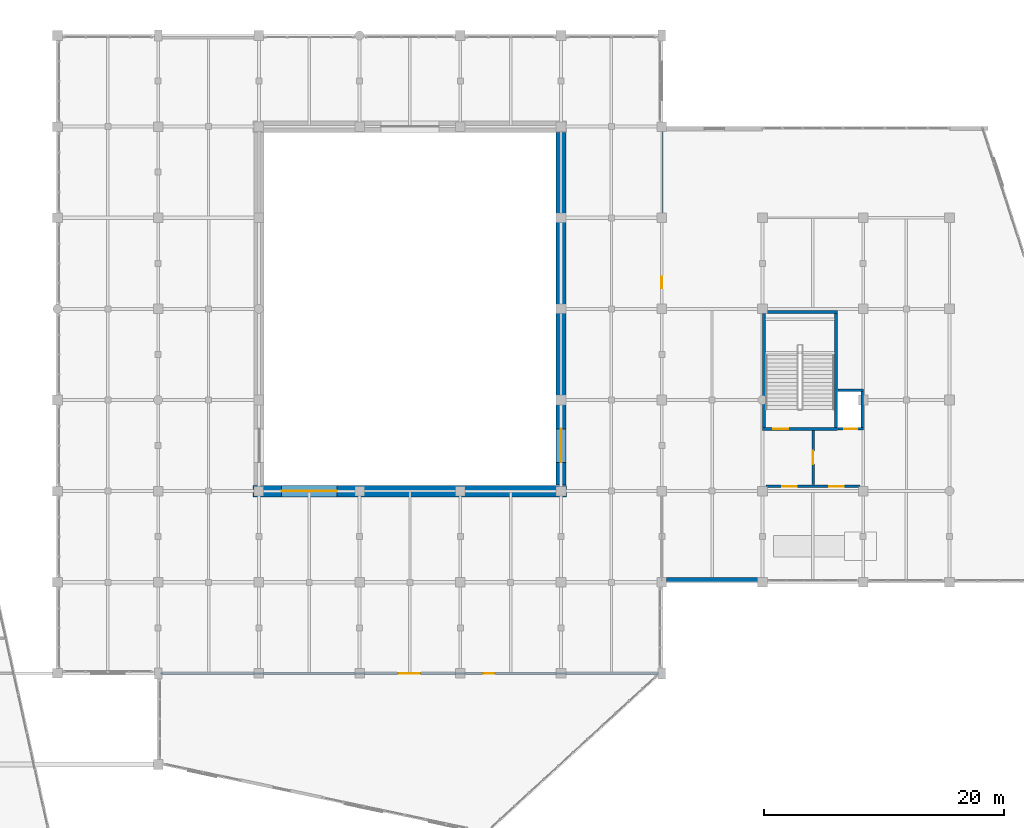
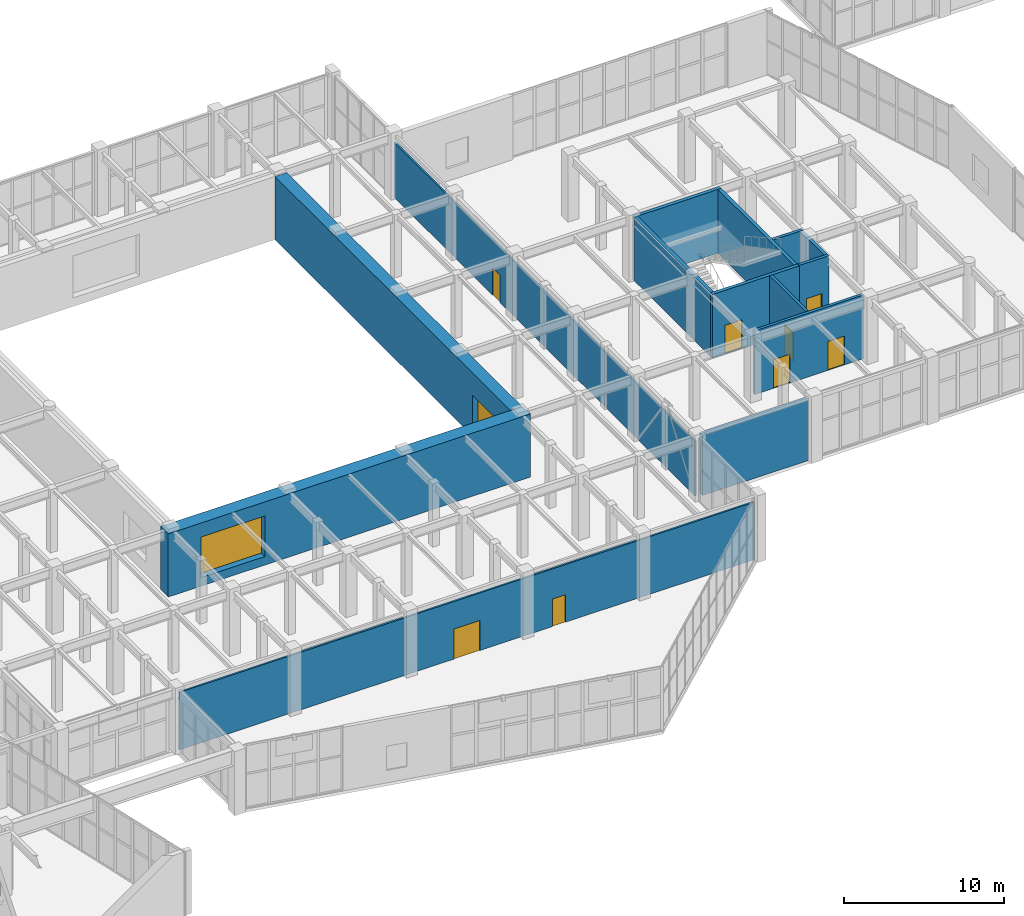
# One storey, part 113 of 128: 14 walls, 8 doors, 2 windows, 10 openings.
"""IFC4 building model written with IfcOpenShell, lengths in metres."""

from ifc_helpers import new_model, si_unit, direction, frame, frame_2d, origin, place, context, subcontext, project, spatial, rectangle, extrude, material, layer, layer_set, type_object, element, fill, save


model = new_model("IFC4")

# Units and contexts
model_context = context("Model", 3, precision=1e-05, world=origin(), true_north=direction((0.0, 1.0)))
body_context = subcontext(model_context, "Body", "Model", "MODEL_VIEW")
ifc_project = project(units=[si_unit("LENGTHUNIT", "METRE"), si_unit("AREAUNIT", "SQUARE_METRE"), si_unit("VOLUMEUNIT", "CUBIC_METRE"), si_unit("PLANEANGLEUNIT", "RADIAN"), si_unit("MASSUNIT", "GRAM", prefix="KILO")], contexts=[model_context])

# Site, building, storey
site_placement = place(None, origin())
site = spatial("IfcSite", under=ifc_project, at=site_placement, CompositionType="ELEMENT")
building_placement = place(site_placement, origin())
building = spatial("IfcBuilding", under=site, at=building_placement, Name="Xicomal Pleat Aquarium", CompositionType="ELEMENT")
storey_placement = place(building_placement, frame((0.0, 0.0, 5.39990234375)))
storey = spatial("IfcBuildingStorey", under=building, at=storey_placement, Name="L02", CompositionType="ELEMENT", Elevation=5.39990234375)

# Wall, opening, door
ifc_material_1 = material(Name="Concrete C40/50", Category="concrete")
ifc_layer_1 = layer(ifc_material_1, 0.219970703125)
ifc_layer_set_1 = layer_set([ifc_layer_1], Name="Concrete C40/50")
wall_type_1 = type_object("IfcWallType", Name="WAL-COR-220", PredefinedType="SHEAR", material=ifc_layer_set_1)
wall_1_placement = place(storey_placement, frame((108.89990234375, 50.7900390625, 0.0), z_axis=(0.0, 0.0, 1.0), x_axis=(1.0, 0.0, 0.0)))
wall_1 = element("IfcWall", 1, at=wall_1_placement, inside=storey, type_object=wall_type_1, Name="L02 LF-07 lift shaft wall CW-L02-C7-LS", PredefinedType="SHEAR", context=body_context, shape_type="SweptSolid", body=[
    extrude(rectangle(XDim=2.1201171875, YDim=0.219970703125, at=frame_2d((1.06005859375, 0.0))), origin(), (0.0, 0.0, 1.0), 4.860107421875),
])
opening_1_placement = place(wall_1_placement, frame((0.510009765625, 0.0, 0.0)))
opening_1 = element("IfcOpeningElement", 2, at=opening_1_placement, cuts=wall_1, Name="Opening LD-07-L02", PredefinedType="OPENING", context=body_context, shape_type="SweptSolid", body=[
    extrude(rectangle(XDim=1.10009765625, YDim=2.14990234375, at=frame_2d((0.550048828125, 1.074951171875))), frame((0.0, 0.119873046875, 0.0), z_axis=(0.0, -1.0, 0.0), x_axis=(1.0, 0.0, 0.0)), (0.0, 0.0, 1.0), 0.239990234375),
])
ifc_material_2 = material(Name="Brushed stainless steel 304", Category="steel")
door_type_1 = type_object("IfcDoorType", Name="DOR-LD-1100x2150", OperationType="DOUBLE_DOOR_SLIDING", PredefinedType="DOOR", material=ifc_material_2)
door_1_placement = place(opening_1_placement, origin())
door_1 = element("IfcDoor", 3, at=door_1_placement, inside=storey, type_object=door_type_1, Name="L02 LF-07 sliding lift landing door", OperationType="DOUBLE_DOOR_SLIDING", OverallHeight=2.14990234375, OverallWidth=1.10009765625, PredefinedType="DOOR", context=body_context, shape_type="SweptSolid", body=[
    extrude(rectangle(XDim=1.10009765625, YDim=2.14990234375, at=frame_2d((0.550048828125, 1.074951171875))), frame((0.0, 0.02490234375, 0.0), z_axis=(0.0, -1.0, 0.0), x_axis=(1.0, 0.0, 0.0)), (0.0, 0.0, 1.0), 0.050048828125),
])
fill(opening_1, door_1)

# Walls
wall_2_placement = place(storey_placement, frame((108.89990234375, 54.010009765625, 0.0), z_axis=(0.0, 0.0, 1.0), x_axis=(1.0, 0.0, 0.0)))
element("IfcWall", 4, at=wall_2_placement, inside=storey, type_object=wall_type_1, Name="L02 LF-07 lift shaft wall CW-L02-C7-LN", PredefinedType="SHEAR", context=body_context, shape_type="SweptSolid", body=[
    extrude(rectangle(XDim=2.1201171875, YDim=0.219970703125, at=frame_2d((1.06005859375, 0.0))), origin(), (0.0, 0.0, 1.0), 4.860107421875),
])
wall_3_placement = place(storey_placement, frame((110.909912109375, 50.89990234375, 0.0), z_axis=(0.0, 0.0, 1.0), x_axis=(0.0, 1.0, 0.0)))
element("IfcWall", 5, at=wall_3_placement, inside=storey, type_object=wall_type_1, Name="L02 LF-07 lift shaft wall CW-L02-C7-LE", PredefinedType="SHEAR", context=body_context, shape_type="SweptSolid", body=[
    extrude(rectangle(XDim=3.0, YDim=0.219970703125, at=frame_2d((1.5, 0.0))), origin(), (0.0, 0.0, 1.0), 4.860107421875),
])

# Wall, opening, door
ifc_material_3 = material(Name="Concrete C40/50", Category="concrete")
ifc_layer_2 = layer(ifc_material_3, 0.25)
ifc_layer_set_2 = layer_set([ifc_layer_2], Name="Concrete C40/50")
wall_type_2 = type_object("IfcWallType", Name="WAL-COR-250", PredefinedType="SHEAR", material=ifc_layer_set_2)
wall_4_placement = place(storey_placement, frame((102.590087890625, 50.77490234375, 0.0), z_axis=(0.0, 0.0, 1.0), x_axis=(1.0, 0.0, 0.0)))
wall_4 = element("IfcWall", 6, at=wall_4_placement, inside=storey, type_object=wall_type_2, Name="L02 CORE-7 stair shear wall CW-L02-C7-SS", PredefinedType="SHEAR", context=body_context, shape_type="SweptSolid", body=[
    extrude(rectangle(XDim=6.280029296875, YDim=0.25, at=frame_2d((3.14013671875, 0.0))), origin(), (0.0, 0.0, 1.0), 4.860107421875),
])
opening_2_placement = place(wall_4_placement, frame((0.89990234375, 0.0, 0.0)))
opening_2 = element("IfcOpeningElement", 7, at=opening_2_placement, cuts=wall_4, Name="Opening SD-07-L02", PredefinedType="OPENING", context=body_context, shape_type="SweptSolid", body=[
    extrude(rectangle(XDim=1.25, YDim=2.199951171875, at=frame_2d((0.625, 1.10009765625))), frame((0.0, 0.135009765625, 0.0), z_axis=(0.0, -1.0, 0.0), x_axis=(1.0, 0.0, 0.0)), (0.0, 0.0, 1.0), 0.27001953125),
])
ifc_material_4 = material(Name="Powder-coated steel fire door", Category="steel")
door_type_2 = type_object("IfcDoorType", Name="DOR-ST-1250x2200", OperationType="NOTDEFINED", PredefinedType="DOOR", material=ifc_material_4)
door_2_placement = place(opening_2_placement, origin())
door_2 = element("IfcDoor", 8, at=door_2_placement, inside=storey, type_object=door_type_2, Name="L02 ST-07 protected stair door", OperationType="SINGLE_SWING_LEFT", OverallHeight=2.199951171875, OverallWidth=1.25, PredefinedType="DOOR", context=body_context, shape_type="SweptSolid", body=[
    extrude(rectangle(XDim=1.25, YDim=2.199951171875, at=frame_2d((0.625, 1.10009765625))), frame((0.0, 0.02490234375, 0.0), z_axis=(0.0, -1.0, 0.0), x_axis=(1.0, 0.0, 0.0)), (0.0, 0.0, 1.0), 0.050048828125),
])
fill(opening_2, door_2)

# Walls
wall_5_placement = place(storey_placement, frame((102.590087890625, 60.52490234375, 0.0), z_axis=(0.0, 0.0, 1.0), x_axis=(1.0, 0.0, 0.0)))
element("IfcWall", 9, at=wall_5_placement, inside=storey, type_object=wall_type_2, Name="L02 CORE-7 stair shear wall CW-L02-C7-SN", PredefinedType="SHEAR", context=body_context, shape_type="SweptSolid", body=[
    extrude(rectangle(XDim=6.280029296875, YDim=0.25, at=frame_2d((3.14013671875, 0.0))), origin(), (0.0, 0.0, 1.0), 4.860107421875),
])
for number, where, z_axis, x_axis, name in (
    (10, (102.715087890625, 50.89990234375, 0.0), (0.0, 0.0, 1.0), (0.0, 1.0, 0.0), "L02 CORE-7 stair shear wall CW-L02-C7-SW"),
    (11, (108.7451171875, 50.89990234375, 0.0), (0.0, 0.0, 1.0), (0.0, 1.0, 0.0), "L02 CORE-7 stair shear wall CW-L02-C7-SE"),
):
    element("IfcWall", number, at=place(storey_placement, frame(where, z_axis=z_axis, x_axis=x_axis)), inside=storey, type_object=wall_type_2, Name=name, PredefinedType="SHEAR", context=body_context, shape_type="SweptSolid", body=[
        extrude(rectangle(XDim=9.5, YDim=0.25, at=frame_2d((4.75, 0.0))), origin(), (0.0, 0.0, 1.0), 4.860107421875),
    ])
ifc_material_5 = material(Name="Volcanic basalt recinto masonry and concrete C40/50", Category="masonry")
ifc_layer_3 = layer(ifc_material_5, 0.3798828125)
ifc_layer_set_3 = layer_set([ifc_layer_3], Name="Volcanic basalt recinto masonry and concrete C40/50")
wall_type_3 = type_object("IfcWallType", Name="WAL-EXT-BAS-380", PredefinedType="SOLIDWALL", material=ifc_layer_set_3)
wall_6_placement = place(storey_placement, frame((102.215087890625, 38.18994140625, 0.0), z_axis=(0.0, 0.0, 1.0), x_axis=(-1.0, 0.0, 0.0)))
element("IfcWall", 12, at=wall_6_placement, inside=storey, type_object=wall_type_3, Name="L02 exterior basalt-precast wall EW-L02-066", PredefinedType="SOLIDWALL", context=body_context, shape_type="SweptSolid", body=[
    extrude(rectangle(XDim=7.630126953125, YDim=0.3798828125, at=frame_2d((3.81494140625, 0.0))), origin(), (0.0, 0.0, 1.0), 4.60498046875),
])

# Wall, opening, door
ifc_material_6 = material(Name="Acoustic double-stud drywall partition", Category="gypsum")
ifc_layer_4 = layer(ifc_material_6, 0.125)
ifc_layer_set_4 = layer_set([ifc_layer_4], Name="Acoustic double-stud drywall partition")
wall_type_4 = type_object("IfcWallType", Name="WAL-PRT-125", PredefinedType="PARTITIONING", material=ifc_layer_set_4)
wall_7_placement = place(storey_placement, frame((94.199951171875, 75.800048828125, 0.0), z_axis=(0.0, 0.0, 1.0), x_axis=(0.0, -1.0, 0.0)))
wall_7 = element("IfcWall", 13, at=wall_7_placement, inside=storey, type_object=wall_type_4, Name="L02 interior partition PT-L02-047", PredefinedType="PARTITIONING", context=body_context, shape_type="SweptSolid", body=[
    extrude(rectangle(XDim=37.60009765625, YDim=0.125, at=frame_2d((18.800048828125, 0.0))), origin(), (0.0, 0.0, 1.0), 4.197998046875),
])
opening_3_placement = place(wall_7_placement, frame((12.30908203125, 0.0, 0.0)))
opening_3 = element("IfcOpeningElement", 14, at=opening_3_placement, cuts=wall_7, Name="Opening DR-L02-026", PredefinedType="OPENING", context=body_context, shape_type="SweptSolid", body=[
    extrude(rectangle(XDim=0.949951171875, YDim=2.10009765625, at=frame_2d((0.47509765625, 1.050048828125))), frame((0.0, 0.072509765625, 0.0), z_axis=(0.0, -1.0, 0.0), x_axis=(1.0, 0.0, 0.0)), (0.0, 0.0, 1.0), 0.14501953125),
])
ifc_material_7 = material(Name="Solid-core hardwood and anodized aluminium frame", Category="wood")
door_type_3 = type_object("IfcDoorType", Name="DOR-WC-0950x2100", OperationType="NOTDEFINED", PredefinedType="DOOR", material=ifc_material_7)
door_3_placement = place(opening_3_placement, origin())
door_3 = element("IfcDoor", 15, at=door_3_placement, inside=storey, type_object=door_type_3, Name="L02 Kelp Forest and Pelagic Reef Gallery door DR-L02-026", OperationType="SINGLE_SWING_RIGHT", OverallHeight=2.10009765625, OverallWidth=0.949951171875, PredefinedType="DOOR", context=body_context, shape_type="SweptSolid", body=[
    extrude(rectangle(XDim=0.949951171875, YDim=2.10009765625, at=frame_2d((0.47509765625, 1.050048828125))), frame((0.0, 0.02490234375, 0.0), z_axis=(0.0, -1.0, 0.0), x_axis=(1.0, 0.0, 0.0)), (0.0, 0.0, 1.0), 0.050048828125),
])
fill(opening_3, door_3)

# Wall, openings, doors
ifc_material_8 = material(Name="Acoustic double-stud drywall partition", Category="gypsum")
ifc_layer_5 = layer(ifc_material_8, 0.132080078125)
ifc_layer_set_5 = layer_set([ifc_layer_5], Name="Acoustic double-stud drywall partition")
wall_type_5 = type_object("IfcWallType", Name="WAL-PRT-132", PredefinedType="PARTITIONING", material=ifc_layer_set_5)
wall_8_placement = place(storey_placement, frame((93.904052734375, 30.39990234375, 0.0), z_axis=(0.0, 0.0, 1.0), x_axis=(-1.0, 0.0, 0.0)))
wall_8 = element("IfcWall", 16, at=wall_8_placement, inside=storey, type_object=wall_type_5, Name="L02 interior partition PT-L02-046", PredefinedType="PARTITIONING", context=body_context, shape_type="SweptSolid", body=[
    extrude(rectangle(XDim=41.504150390625, YDim=0.132080078125, at=frame_2d((20.751953125, 0.0))), origin(), (0.0, 0.0, 1.0), 4.398193359375),
])
opening_4_placement = place(wall_8_placement, frame((19.826904296875, 0.0, 0.0)))
opening_4 = element("IfcOpeningElement", 17, at=opening_4_placement, cuts=wall_8, Name="Opening DR-L02-024", PredefinedType="OPENING", context=body_context, shape_type="SweptSolid", body=[
    extrude(rectangle(XDim=1.85009765625, YDim=2.300048828125, at=frame_2d((0.925048828125, 1.14990234375))), frame((0.0, 0.075927734375, 0.0), z_axis=(0.0, -1.0, 0.0), x_axis=(1.0, 0.0, 0.0)), (0.0, 0.0, 1.0), 0.152099609375),
])
opening_5_placement = place(wall_8_placement, frame((13.635986328125, 0.0, 0.0)))
opening_5 = element("IfcOpeningElement", 18, at=opening_5_placement, cuts=wall_8, Name="Opening DR-L02-025", PredefinedType="OPENING", context=body_context, shape_type="SweptSolid", body=[
    extrude(rectangle(XDim=0.949951171875, YDim=2.10009765625, at=frame_2d((0.47509765625, 1.050048828125))), frame((0.0, 0.075927734375, 0.0), z_axis=(0.0, -1.0, 0.0), x_axis=(1.0, 0.0, 0.0)), (0.0, 0.0, 1.0), 0.152099609375),
])
ifc_material_9 = material(Name="Solid-core hardwood and anodized aluminium frame", Category="wood")
door_type_4 = type_object("IfcDoorType", Name="DOR-UNR-1850x2300", OperationType="DOUBLE_DOOR_SINGLE_SWING", PredefinedType="DOOR", material=ifc_material_9)
door_4_placement = place(opening_4_placement, origin())
door_4 = element("IfcDoor", 19, at=door_4_placement, inside=storey, type_object=door_type_4, Name="L02 Ocean Basin Mid-Water Viewing Amphitheatre door DR-L02-024", OperationType="DOUBLE_DOOR_SINGLE_SWING", OverallHeight=2.300048828125, OverallWidth=1.85009765625, PredefinedType="DOOR", context=body_context, shape_type="SweptSolid", body=[
    extrude(rectangle(XDim=1.85009765625, YDim=2.300048828125, at=frame_2d((0.925048828125, 1.14990234375))), frame((0.0, 0.02490234375, 0.0), z_axis=(0.0, -1.0, 0.0), x_axis=(1.0, 0.0, 0.0)), (0.0, 0.0, 1.0), 0.050048828125),
])
fill(opening_4, door_4)
door_5_placement = place(opening_5_placement, origin())
door_5 = element("IfcDoor", 20, at=door_5_placement, inside=storey, type_object=door_type_3, Name="L02 Sub-Aquatic Upper Viewing Lounge door DR-L02-025", OperationType="SINGLE_SWING_LEFT", OverallHeight=2.10009765625, OverallWidth=0.949951171875, PredefinedType="DOOR", context=body_context, shape_type="SweptSolid", body=[
    extrude(rectangle(XDim=0.949951171875, YDim=2.10009765625, at=frame_2d((0.47509765625, 1.050048828125))), frame((0.0, 0.02490234375, 0.0), z_axis=(0.0, -1.0, 0.0), x_axis=(1.0, 0.0, 0.0)), (0.0, 0.0, 1.0), 0.050048828125),
])
fill(opening_5, door_5)

# Wall, opening, door
ifc_material_10 = material(Name="Acoustic double-stud drywall partition", Category="gypsum")
ifc_layer_6 = layer(ifc_material_10, 0.195068359375)
ifc_layer_set_6 = layer_set([ifc_layer_6], Name="Acoustic double-stud drywall partition")
wall_type_6 = type_object("IfcWallType", Name="WAL-PRT-195", PredefinedType="PARTITIONING", material=ifc_layer_set_6)
wall_9_placement = place(storey_placement, frame((106.824951171875, 46.14990234375, 0.0), z_axis=(0.0, 0.0, 1.0), x_axis=(0.0, 1.0, 0.0)))
wall_9 = element("IfcWall", 21, at=wall_9_placement, inside=storey, type_object=wall_type_6, Name="L02 firefighting lobby smoke divider 7", PredefinedType="PARTITIONING", context=body_context, shape_type="SweptSolid", body=[
    extrude(rectangle(XDim=4.5, YDim=0.195068359375, at=frame_2d((2.25, 0.0))), origin(), (0.0, 0.0, 1.0), 4.860107421875),
])
opening_6_placement = place(wall_9_placement, frame((1.699951171875, 0.0, 0.0)))
opening_6 = element("IfcOpeningElement", 22, at=opening_6_placement, cuts=wall_9, Name="Opening FD-07C-L02", PredefinedType="OPENING", context=body_context, shape_type="SweptSolid", body=[
    extrude(rectangle(XDim=1.10009765625, YDim=2.14990234375, at=frame_2d((0.550048828125, 1.074951171875))), frame((0.0, 0.107421875, 0.0), z_axis=(0.0, -1.0, 0.0), x_axis=(1.0, 0.0, 0.0)), (0.0, 0.0, 1.0), 0.215087890625),
])
ifc_material_11 = material(Name="Powder-coated steel fire door", Category="steel")
door_type_5 = type_object("IfcDoorType", Name="DOR-LAB-1100x2150", OperationType="NOTDEFINED", PredefinedType="DOOR", material=ifc_material_11)
door_6_placement = place(opening_6_placement, origin())
door_6 = element("IfcDoor", 23, at=door_6_placement, inside=storey, type_object=door_type_5, Name="L02 lobby interconnecting fire door 7C", OperationType="SINGLE_SWING_LEFT", OverallHeight=2.14990234375, OverallWidth=1.10009765625, PredefinedType="DOOR", context=body_context, shape_type="SweptSolid", body=[
    extrude(rectangle(XDim=1.10009765625, YDim=2.14990234375, at=frame_2d((0.550048828125, 1.074951171875))), frame((0.0, 0.02490234375, 0.0), z_axis=(0.0, -1.0, 0.0), x_axis=(1.0, 0.0, 0.0)), (0.0, 0.0, 1.0), 0.050048828125),
])
fill(opening_6, door_6)

# Wall, openings, doors
ifc_material_12 = material(Name="Fire-rated gypsum and mineral-wool partition", Category="gypsum")
ifc_layer_7 = layer(ifc_material_12, 0.2099609375)
ifc_layer_set_7 = layer_set([ifc_layer_7], Name="Fire-rated gypsum and mineral-wool partition")
wall_type_7 = type_object("IfcWallType", Name="WAL-PRT-210", PredefinedType="PARTITIONING", material=ifc_layer_set_7)
wall_10_placement = place(storey_placement, frame((102.89990234375, 46.0, 0.0), z_axis=(0.0, 0.0, 1.0), x_axis=(1.0, 0.0, 0.0)))
wall_10 = element("IfcWall", 24, at=wall_10_placement, inside=storey, type_object=wall_type_7, Name="L02 CORE-7 lobby fire enclosure wall", PredefinedType="PARTITIONING", context=body_context, shape_type="SweptSolid", body=[
    extrude(rectangle(XDim=7.85009765625, YDim=0.2099609375, at=frame_2d((3.925048828125, 0.0))), origin(), (0.0, 0.0, 1.0), 4.860107421875),
])
opening_7_placement = place(wall_10_placement, frame((1.362060546875, 0.0, 0.0)))
opening_7 = element("IfcOpeningElement", 25, at=opening_7_placement, cuts=wall_10, Name="Opening FD-07A-L02", PredefinedType="OPENING", context=body_context, shape_type="SweptSolid", body=[
    extrude(rectangle(XDim=1.199951171875, YDim=2.199951171875, at=frame_2d((0.60009765625, 1.10009765625))), frame((0.0, 0.114990234375, 0.0), z_axis=(0.0, -1.0, 0.0), x_axis=(1.0, 0.0, 0.0)), (0.0, 0.0, 1.0), 0.22998046875),
])
opening_8_placement = place(wall_10_placement, frame((5.287109375, 0.0, 0.0)))
opening_8 = element("IfcOpeningElement", 26, at=opening_8_placement, cuts=wall_10, Name="Opening FD-07B-L02", PredefinedType="OPENING", context=body_context, shape_type="SweptSolid", body=[
    extrude(rectangle(XDim=1.199951171875, YDim=2.199951171875, at=frame_2d((0.60009765625, 1.10009765625))), frame((0.0, 0.114990234375, 0.0), z_axis=(0.0, -1.0, 0.0), x_axis=(1.0, 0.0, 0.0)), (0.0, 0.0, 1.0), 0.22998046875),
])
ifc_material_13 = material(Name="Powder-coated steel fire door", Category="steel")
door_type_6 = type_object("IfcDoorType", Name="DOR-FFL-1200x2200", OperationType="NOTDEFINED", PredefinedType="DOOR", material=ifc_material_13)
door_7_placement = place(opening_7_placement, origin())
door_7 = element("IfcDoor", 27, at=door_7_placement, inside=storey, type_object=door_type_6, Name="L02 firefighting lobby door 7A", OperationType="SINGLE_SWING_LEFT", OverallHeight=2.199951171875, OverallWidth=1.199951171875, PredefinedType="DOOR", context=body_context, shape_type="SweptSolid", body=[
    extrude(rectangle(XDim=1.199951171875, YDim=2.199951171875, at=frame_2d((0.60009765625, 1.10009765625))), frame((0.0, 0.02490234375, 0.0), z_axis=(0.0, -1.0, 0.0), x_axis=(1.0, 0.0, 0.0)), (0.0, 0.0, 1.0), 0.050048828125),
])
fill(opening_7, door_7)
door_8_placement = place(opening_8_placement, origin())
door_8 = element("IfcDoor", 28, at=door_8_placement, inside=storey, type_object=door_type_6, Name="L02 lift lobby door 7B", OperationType="SINGLE_SWING_RIGHT", OverallHeight=2.199951171875, OverallWidth=1.199951171875, PredefinedType="DOOR", context=body_context, shape_type="SweptSolid", body=[
    extrude(rectangle(XDim=1.199951171875, YDim=2.199951171875, at=frame_2d((0.60009765625, 1.10009765625))), frame((0.0, 0.02490234375, 0.0), z_axis=(0.0, -1.0, 0.0), x_axis=(1.0, 0.0, 0.0)), (0.0, 0.0, 1.0), 0.050048828125),
])
fill(opening_8, door_8)

# Wall, opening, window
ifc_material_14 = material(Name="Concrete C45/55", Category="concrete")
ifc_layer_8 = layer(ifc_material_14, 0.85009765625)
ifc_layer_set_8 = layer_set([ifc_layer_8], Name="Concrete C45/55")
wall_type_8 = type_object("IfcWallType", Name="WAL-TANK-850", PredefinedType="SHEAR", material=ifc_layer_set_8)
wall_11_placement = place(storey_placement, frame((85.800048828125, 46.094970703125, 0.0), z_axis=(0.0, 0.0, 1.0), x_axis=(0.0, 1.0, 0.0)))
wall_11 = element("IfcWall", 29, at=wall_11_placement, inside=storey, type_object=wall_type_8, Name="Main ocean tank hydrostatic wall TW-L02-E", PredefinedType="SHEAR", context=body_context, shape_type="SweptSolid", body=[
    extrude(rectangle(XDim=29.409912109375, YDim=0.85009765625, at=frame_2d((14.705078125, 0.0))), origin(), (0.0, 0.0, 1.0), 4.820068359375),
])
opening_9_placement = place(wall_11_placement, frame((1.89990234375, 0.0, 0.89990234375)))
opening_9 = element("IfcOpeningElement", 30, at=opening_9_placement, cuts=wall_11, Name="Opening AW-06", PredefinedType="OPENING", context=body_context, shape_type="SweptSolid", body=[
    extrude(rectangle(XDim=2.800048828125, YDim=2.199951171875, at=frame_2d((1.39990234375, 1.10009765625))), frame((0.0, 0.43505859375, 0.0), z_axis=(0.0, -1.0, 0.0), x_axis=(1.0, 0.0, 0.0)), (0.0, 0.0, 1.0), 0.8701171875),
])
ifc_material_15 = material(Name="Cast PMMA acrylic viewing glazing", Category="glass")
window_type_1 = type_object("IfcWindowType", Name="WIN-PMMA-2800x2200", PartitioningType="SINGLE_PANEL", PredefinedType="WINDOW", material=ifc_material_15)
window_1_placement = place(opening_9_placement, origin())
window_1 = element("IfcWindow", 31, at=window_1_placement, inside=storey, type_object=window_type_1, Name="L02 cast PMMA acrylic ocean tank window AW-L02-E1", OverallHeight=2.199951171875, OverallWidth=2.800048828125, PartitioningType="SINGLE_PANEL", PredefinedType="WINDOW", context=body_context, shape_type="SweptSolid", body=[
    extrude(rectangle(XDim=2.800048828125, YDim=2.199951171875, at=frame_2d((1.39990234375, 1.10009765625))), frame((0.0, 0.030029296875, 0.0), z_axis=(0.0, -1.0, 0.0), x_axis=(1.0, 0.0, 0.0)), (0.0, 0.0, 1.0), 0.06005859375),
])
fill(opening_9, window_1)

ifc_material_16 = material(Name="Concrete C45/55", Category="concrete")
ifc_layer_9 = layer(ifc_material_16, 0.949951171875)
ifc_layer_set_9 = layer_set([ifc_layer_9], Name="Concrete C45/55")
wall_type_9 = type_object("IfcWallType", Name="WAL-TANK-950", PredefinedType="SHEAR", material=ifc_layer_set_9)
wall_12_placement = place(storey_placement, frame((60.125, 45.60009765625, 0.0), z_axis=(0.0, 0.0, 1.0), x_axis=(1.0, 0.0, 0.0)))
wall_12 = element("IfcWall", 32, at=wall_12_placement, inside=storey, type_object=wall_type_9, Name="Main ocean tank hydrostatic wall TW-L02-S", PredefinedType="SHEAR", context=body_context, shape_type="SweptSolid", body=[
    extrude(rectangle(XDim=26.14990234375, YDim=0.949951171875, at=frame_2d((13.074951171875, 0.0))), origin(), (0.0, 0.0, 1.0), 4.820068359375),
])
opening_10_placement = place(wall_12_placement, frame((2.3798828125, 0.0, 0.64990234375)))
opening_10 = element("IfcOpeningElement", 33, at=opening_10_placement, cuts=wall_12, Name="Opening AW-07", PredefinedType="OPENING", context=body_context, shape_type="SweptSolid", body=[
    extrude(rectangle(XDim=4.60009765625, YDim=3.10009765625, at=frame_2d((2.300048828125, 1.550048828125))), frame((0.0, 0.48486328125, 0.0), z_axis=(0.0, -1.0, 0.0), x_axis=(1.0, 0.0, 0.0)), (0.0, 0.0, 1.0), 0.969970703125),
])
ifc_material_17 = material(Name="Cast PMMA acrylic viewing glazing", Category="glass")
window_type_2 = type_object("IfcWindowType", Name="WIN-PMMA-4600x3100", PartitioningType="SINGLE_PANEL", PredefinedType="WINDOW", material=ifc_material_17)
window_2_placement = place(opening_10_placement, origin())
window_2 = element("IfcWindow", 34, at=window_2_placement, inside=storey, type_object=window_type_2, Name="L02 cast PMMA acrylic ocean tank window AW-L02-S1", OverallHeight=3.10009765625, OverallWidth=4.60009765625, PartitioningType="SINGLE_PANEL", PredefinedType="WINDOW", context=body_context, shape_type="SweptSolid", body=[
    extrude(rectangle(XDim=4.60009765625, YDim=3.10009765625, at=frame_2d((2.300048828125, 1.550048828125))), frame((0.0, 0.030029296875, 0.0), z_axis=(0.0, -1.0, 0.0), x_axis=(1.0, 0.0, 0.0)), (0.0, 0.0, 1.0), 0.06005859375),
])
fill(opening_10, window_2)

save(model, "model.ifc")
